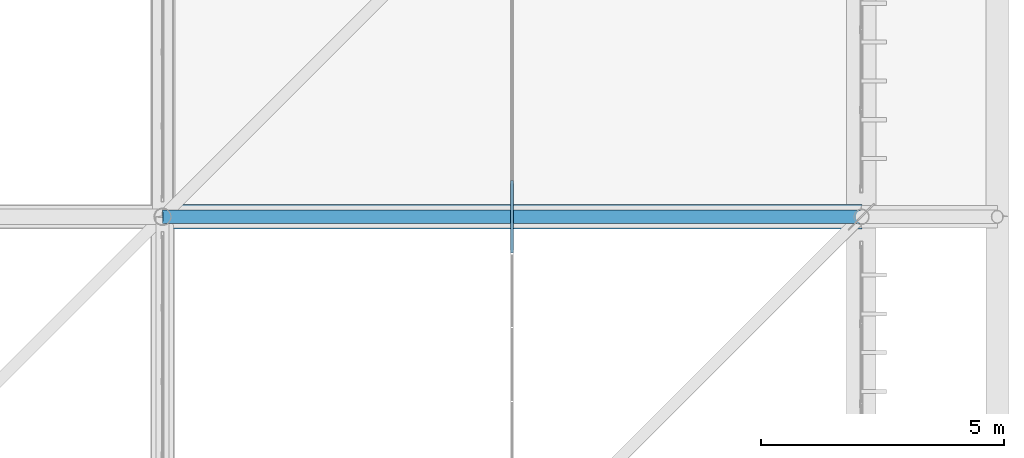
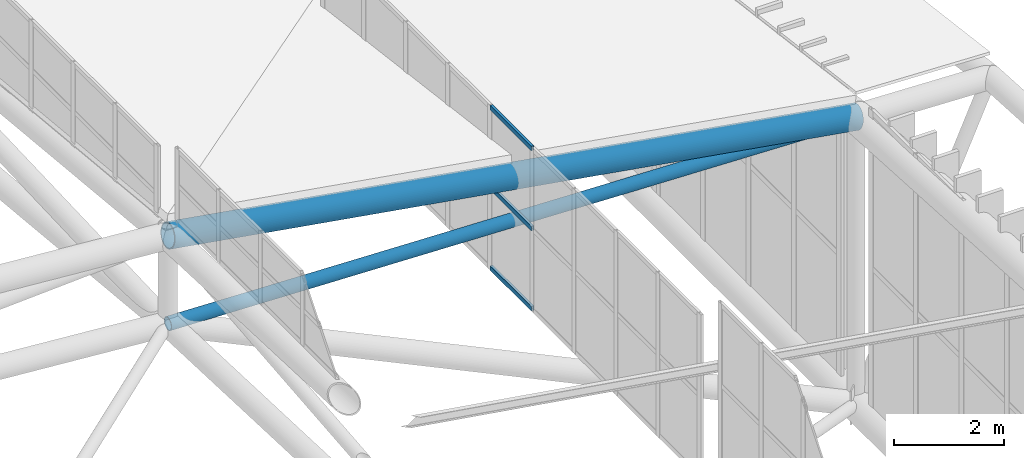
# One storey, part 289 of 397: 4 members, 1 beam, 1 element without a shape of its own.
"""IFC4 building model written with IfcOpenShell, lengths in metres."""

from ifc_helpers import new_model, si_unit, direction, frame, origin, origin_2d, place, context, subcontext, project, spatial, hollow_rectangle, hollow_circle, extrude, material, material_profile, profile_set, type_object, element, aggregate, save


model = new_model("IFC4")

# Units and contexts
model_context = context("Model", 3, precision=1e-05, world=origin(), true_north=direction((0.0, 1.0)))
body_context = subcontext(model_context, "Body", "Model", "MODEL_VIEW")
ifc_project = project(units=[si_unit("LENGTHUNIT", "METRE"), si_unit("AREAUNIT", "SQUARE_METRE"), si_unit("VOLUMEUNIT", "CUBIC_METRE"), si_unit("PLANEANGLEUNIT", "RADIAN"), si_unit("MASSUNIT", "GRAM", prefix="KILO")], contexts=[model_context])

# Site, building, storey
site_placement = place(None, origin())
site = spatial("IfcSite", under=ifc_project, at=site_placement, CompositionType="ELEMENT")
building_placement = place(site_placement, origin())
building = spatial("IfcBuilding", under=site, at=building_placement, Name="Qandorah Velis Arena", CompositionType="ELEMENT")
storey_placement = place(building_placement, frame((0.0, 0.0, 27.5)))
storey = spatial("IfcBuildingStorey", under=building, at=storey_placement, Name="RF", CompositionType="ELEMENT", Elevation=27.5)

# Curtain wall, members
ifc_material_1 = material(Name="Solar-control low-E double glazing", Category="glass")
curtain_wall_type = type_object("IfcCurtainWallType", Name="ARC-CW-SYS17", PredefinedType="USERDEFINED", material=ifc_material_1)
curtain_wall_placement = place(storey_placement, origin())
curtain_wall = element("IfcCurtainWall", 1, at=curtain_wall_placement, inside=storey, type_object=curtain_wall_type, Name="Unitised curtain wall MON-2-5", ObjectType="UNITISED CURTAIN WALL", PredefinedType="USERDEFINED")
ifc_material_2 = material(Name="Champagne-bronze anodized aluminium 6063-T6", Category="aluminium")
ifc_material_profile_1 = material_profile(ifc_material_2, hollow_rectangle(XDim=0.054931640625, YDim=0.10009765625, WallThickness=0.0029296875, at=origin_2d()), Name="ALU TRANSOM 55x100")
ifc_profile_set_1 = profile_set([ifc_material_profile_1], Name="Champagne-bronze anodized aluminium 6063-T6")
member_type_1 = type_object("IfcMemberType", Name="ARC-CWT-100", PredefinedType="USERDEFINED", material=ifc_profile_set_1)
member_1_placement = place(storey_placement, frame((108.0, 85.654296875, 5.1767578125), z_axis=(0.0, 1.0, 0.0), x_axis=(-1.0, 0.0, 0.0)))
member_1 = element("IfcMember", 2, at=member_1_placement, type_object=member_type_1, Name="CW17 transom 5.1", ObjectType="TRANSOM", PredefinedType="USERDEFINED", context=body_context, shape_type="SweptSolid", body=[
    extrude(hollow_rectangle(XDim=0.054931640625, YDim=0.10009765625, WallThickness=0.0029296875, at=origin_2d()), origin(), (0.0, 0.0, 1.0), 1.4912109375),
])
member_2_placement = place(storey_placement, frame((108.0, 85.654296875, 6.94921875), z_axis=(0.0, 1.0, 0.0), x_axis=(-1.0, 0.0, 0.0)))
member_2 = element("IfcMember", 3, at=member_2_placement, type_object=member_type_1, Name="CW17 transom 5.2", ObjectType="TRANSOM", PredefinedType="USERDEFINED", context=body_context, shape_type="SweptSolid", body=[
    extrude(hollow_rectangle(XDim=0.054931640625, YDim=0.10009765625, WallThickness=0.0029296875, at=origin_2d()), origin(), (0.0, 0.0, 1.0), 1.4912109375),
])
member_3_placement = place(storey_placement, frame((108.0, 85.654296875, 8.7216796875), z_axis=(0.0, 1.0, 0.0), x_axis=(-1.0, 0.0, 0.0)))
member_3 = element("IfcMember", 4, at=member_3_placement, type_object=member_type_1, Name="CW17 transom 5.3", ObjectType="TRANSOM", PredefinedType="USERDEFINED", context=body_context, shape_type="SweptSolid", body=[
    extrude(hollow_rectangle(XDim=0.054931640625, YDim=0.10009765625, WallThickness=0.0029296875, at=origin_2d()), origin(), (0.0, 0.0, 1.0), 1.4912109375),
])
aggregate(curtain_wall, [member_1, member_2, member_3])

# Beam
ifc_material_3 = material(Name="Steel S355", Category="steel")
ifc_material_profile_2 = material_profile(ifc_material_3, hollow_circle(Radius=0.25390625, WallThickness=0.02001953125, at=origin_2d()), Name="CHS 508x20")
ifc_profile_set_2 = profile_set([ifc_material_profile_2], Name="Steel S355")
beam_type = type_object("IfcBeamType", Name="STR-SFC-CHS508X20", PredefinedType="USERDEFINED", material=ifc_profile_set_2)
beam_placement = place(storey_placement, frame((100.800048828125, 86.39990234375, 8.857666015625), z_axis=(0.986291594235, 0.0, -0.165011790918), x_axis=(0.0, 1.0, 0.0)))
element("IfcBeam", 5, at=beam_placement, inside=storey, type_object=beam_type, Name="Space frame roof truss top chord X 6.5", ObjectType="ROOF TRUSS", PredefinedType="USERDEFINED", context=body_context, shape_type="SweptSolid", body=[
    extrude(hollow_circle(Radius=0.25390625, WallThickness=0.02001953125, at=origin_2d()), origin(), (0.0, 0.0, 1.0), 14.60009765625),
])

# Member
ifc_material_profile_3 = material_profile(ifc_material_3, hollow_circle(Radius=0.136474609375, WallThickness=0.010009765625, at=origin_2d()), Name="CHS 273x10")
ifc_profile_set_3 = profile_set([ifc_material_profile_3], Name="Steel S355")
member_type_2 = type_object("IfcMemberType", Name="STR-SFD-CHS273X10", PredefinedType="STRUT", material=ifc_profile_set_3)
member_4_placement = place(storey_placement, frame((100.800048828125, 86.39990234375, 6.90771484375), z_axis=(0.999491866897, 0.0, -0.0318748805), x_axis=(0.0, 1.0, 0.0)))
element("IfcMember", 6, at=member_4_placement, inside=storey, type_object=member_type_2, Name="Space frame roof diagonal X 6.5", PredefinedType="STRUT", context=body_context, shape_type="SweptSolid", body=[
    extrude(hollow_circle(Radius=0.136474609375, WallThickness=0.010009765625, at=origin_2d()), origin(), (0.0, 0.0, 1.0), 14.4072265625),
])

save(model, "model.ifc")
